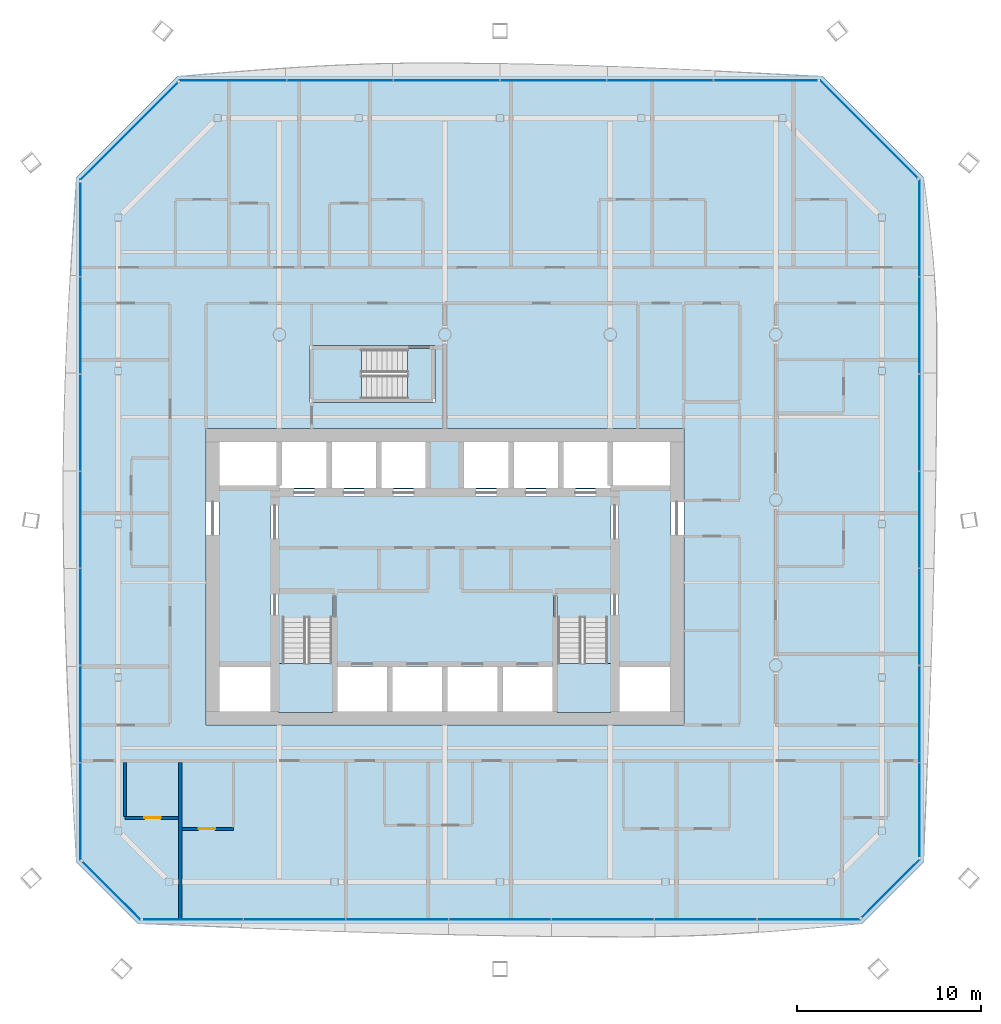
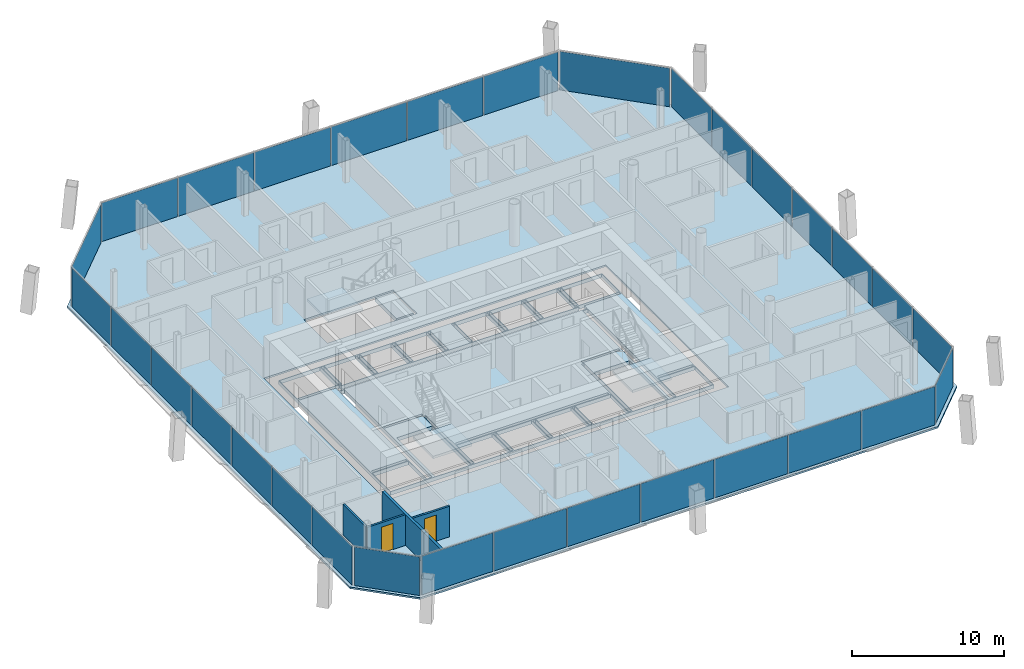
# One storey, part 11 of 21: 31 plates, 6 slabs, 4 walls, 2 doors, 2 openings, 11 elements without a shape of their own.
"""IFC4 building model written with IfcOpenShell, lengths in metres."""

from ifc_helpers import new_model, si_unit, direction, frame, frame_2d, origin, origin_2d, place, context, subcontext, project, spatial, polyline, rectangle, outline, extrude, material, layer, layer_set, type_object, element, fill, aggregate, save


model = new_model("IFC4")

# Units and contexts
model_context = context("Model", 3, precision=1e-05, world=origin(), true_north=direction((0.0, 1.0)))
body_context = subcontext(model_context, "Body", "Model", "MODEL_VIEW")
ifc_project = project(units=[si_unit("LENGTHUNIT", "METRE"), si_unit("AREAUNIT", "SQUARE_METRE"), si_unit("VOLUMEUNIT", "CUBIC_METRE"), si_unit("PLANEANGLEUNIT", "RADIAN"), si_unit("MASSUNIT", "GRAM", prefix="KILO")], contexts=[model_context])

# Site, building, storey
site_placement = place(None, origin())
site = spatial("IfcSite", under=ifc_project, at=site_placement, CompositionType="ELEMENT")
building_placement = place(site_placement, origin())
building = spatial("IfcBuilding", under=site, at=building_placement, Name="Tskaro Facet Tower", CompositionType="ELEMENT")
storey_placement = place(building_placement, frame((0.0, 0.0, 138.5)))
storey = spatial("IfcBuildingStorey", under=building, at=storey_placement, Name="L33", CompositionType="ELEMENT", Elevation=138.5)

# Slab
ifc_material_1 = material(Name="Concrete C30/37", Category="concrete")
ifc_layer_1 = layer(ifc_material_1, 0.139892578125, Name="Concrete C30/37")
ifc_layer_set_1 = layer_set([ifc_layer_1], Name="Concrete C30/37")
slab_type_1 = type_object("IfcSlabType", Name="Composite deck floor slab", PredefinedType="FLOOR", material=ifc_layer_set_1)
slab_1_placement = place(storey_placement, frame((0.0, 0.0, -0.139892578125)))
element("IfcSlab", 1, at=slab_1_placement, inside=storey, type_object=slab_type_1, Name="Floor slab FS3 L33", PredefinedType="FLOOR", context=body_context, shape_type="SweptSolid", body=[
    extrude(outline(polyline([(-16.677978515625, -23.070068359375), (22.677978515625, -23.070068359375), (26.070068359375, -19.677978515625), (26.070068359375, 17.52587890625), (20.52587890625, 23.070068359375), (-14.52587890625, 23.070068359375), (-20.070068359375, 17.52587890625), (-20.070068359375, -19.677978515625), (-16.677978515625, -23.070068359375)]), holes=[polyline([(-13.0, -12.25), (13.0, -12.25), (13.0, 3.89990234375), (-13.0, 3.89990234375), (-13.0, -12.25)]), polyline([(-7.35009765625, 5.300048828125), (-0.550048828125, 5.300048828125), (-0.550048828125, 8.39990234375), (-7.35009765625, 8.39990234375), (-7.35009765625, 5.300048828125)])]), origin(), (0.0, 0.0, 1.0), 0.139892578125),
])

# Curtain wall, plates
ifc_material_2 = material(Name="Bronze anodised aluminium 6063-T6", Category="aluminium")
curtain_wall_type = type_object("IfcCurtainWallType", Name="Bronze hotel curtain wall (FW2)", PredefinedType="NOTDEFINED", material=ifc_material_2)
curtain_wall_1_placement = place(storey_placement, origin())
curtain_wall_1 = element("IfcCurtainWall", 2, at=curtain_wall_1_placement, inside=storey, type_object=curtain_wall_type, Name="FW2 south facet L33", PredefinedType="NOTDEFINED")
ifc_material_3 = material(Name="Bronze solar control glass", Category="glass")
ifc_layer_2 = layer(ifc_material_3, 0.030029296875, Name="Bronze solar control glass")
ifc_layer_set_2 = layer_set([ifc_layer_2], Name="Bronze solar control glass")
plate_type = type_object("IfcPlateType", Name="FW2 bronze-tinted unit glazing 30", PredefinedType="CURTAIN_PANEL", material=ifc_layer_set_2)
plate_1_placement = place(storey_placement, frame((-13.7177734375, -22.820068359375, 0.0), z_axis=(0.0, 0.0, 1.0), x_axis=(1.0, 0.0, 0.0)))
plate_1 = element("IfcPlate", 3, at=plate_1_placement, type_object=plate_type, Name="FW2 south glazing 1.1", PredefinedType="CURTAIN_PANEL", context=body_context, shape_type="SweptSolid", body=[
    extrude(rectangle(XDim=5.41259765625, YDim=0.030029296875, at=origin_2d()), origin(), (0.0, 0.0, 1.0), 3.10009765625),
])
plate_2_placement = place(storey_placement, frame((-8.18505859375, -22.820068359375, 0.0), z_axis=(0.0, 0.0, 1.0), x_axis=(1.0, 0.0, 0.0)))
plate_2 = element("IfcPlate", 4, at=plate_2_placement, type_object=plate_type, Name="FW2 south glazing 2.1", PredefinedType="CURTAIN_PANEL", context=body_context, shape_type="SweptSolid", body=[
    extrude(rectangle(XDim=5.532470703125, YDim=0.030029296875, at=origin_2d()), origin(), (0.0, 0.0, 1.0), 3.10009765625),
])
plate_3_placement = place(storey_placement, frame((-2.592529296875, -22.820068359375, 0.0), z_axis=(0.0, 0.0, 1.0), x_axis=(1.0, 0.0, 0.0)))
plate_3 = element("IfcPlate", 5, at=plate_3_placement, type_object=plate_type, Name="FW2 south glazing 3.1", PredefinedType="CURTAIN_PANEL", context=body_context, shape_type="SweptSolid", body=[
    extrude(rectangle(XDim=5.532470703125, YDim=0.030029296875, at=origin_2d()), origin(), (0.0, 0.0, 1.0), 3.10009765625),
])
plate_4_placement = place(storey_placement, frame((3.0, -22.820068359375, 0.0), z_axis=(0.0, 0.0, 1.0), x_axis=(1.0, 0.0, 0.0)))
plate_4 = element("IfcPlate", 6, at=plate_4_placement, type_object=plate_type, Name="FW2 south glazing 4.1", PredefinedType="CURTAIN_PANEL", context=body_context, shape_type="SweptSolid", body=[
    extrude(rectangle(XDim=5.532470703125, YDim=0.030029296875, at=origin_2d()), origin(), (0.0, 0.0, 1.0), 3.10009765625),
])
plate_5_placement = place(storey_placement, frame((8.592529296875, -22.820068359375, 0.0), z_axis=(0.0, 0.0, 1.0), x_axis=(1.0, 0.0, 0.0)))
plate_5 = element("IfcPlate", 7, at=plate_5_placement, type_object=plate_type, Name="FW2 south glazing 5.1", PredefinedType="CURTAIN_PANEL", context=body_context, shape_type="SweptSolid", body=[
    extrude(rectangle(XDim=5.532470703125, YDim=0.030029296875, at=origin_2d()), origin(), (0.0, 0.0, 1.0), 3.10009765625),
])
plate_6_placement = place(storey_placement, frame((14.18505859375, -22.820068359375, 0.0), z_axis=(0.0, 0.0, 1.0), x_axis=(1.0, 0.0, 0.0)))
plate_6 = element("IfcPlate", 8, at=plate_6_placement, type_object=plate_type, Name="FW2 south glazing 6.1", PredefinedType="CURTAIN_PANEL", context=body_context, shape_type="SweptSolid", body=[
    extrude(rectangle(XDim=5.532470703125, YDim=0.030029296875, at=origin_2d()), origin(), (0.0, 0.0, 1.0), 3.10009765625),
])
plate_7_placement = place(storey_placement, frame((19.792724609375, -22.820068359375, 0.0), z_axis=(0.0, 0.0, 1.0), x_axis=(1.0, 0.0, 0.0)))
plate_7 = element("IfcPlate", 9, at=plate_7_placement, type_object=plate_type, Name="FW2 south glazing 7.1", PredefinedType="CURTAIN_PANEL", context=body_context, shape_type="SweptSolid", body=[
    extrude(rectangle(XDim=5.5625, YDim=0.030029296875, at=origin_2d()), origin(), (0.0, 0.0, 1.0), 3.10009765625),
])
aggregate(curtain_wall_1, [plate_1, plate_2, plate_3, plate_4, plate_5, plate_6, plate_7])

# Curtain wall, plate
curtain_wall_2_placement = place(storey_placement, origin())
curtain_wall_2 = element("IfcCurtainWall", 10, at=curtain_wall_2_placement, inside=storey, type_object=curtain_wall_type, Name="FW2 south-east facet L33", PredefinedType="NOTDEFINED")
plate_8_placement = place(storey_placement, frame((24.25, -21.14404296875, 0.0), z_axis=(0.0, 0.0, 1.0), x_axis=(0.707106781187, 0.707106781187, 0.0)))
plate_8 = element("IfcPlate", 11, at=plate_8_placement, type_object=plate_type, Name="FW2 south-east glazing 1.1", PredefinedType="CURTAIN_PANEL", context=body_context, shape_type="SweptSolid", body=[
    extrude(rectangle(XDim=4.4404296875, YDim=0.030029296875, at=origin_2d()), origin(), (0.0, 0.0, 1.0), 3.10009765625),
])
aggregate(curtain_wall_2, [plate_8])

# Curtain wall, plates
curtain_wall_3_placement = place(storey_placement, origin())
curtain_wall_3 = element("IfcCurtainWall", 12, at=curtain_wall_3_placement, inside=storey, type_object=curtain_wall_type, Name="FW2 east facet L33", PredefinedType="NOTDEFINED")
plate_9_placement = place(storey_placement, frame((25.820068359375, -16.871337890625, 0.0), z_axis=(0.0, 0.0, 1.0), x_axis=(0.0, 1.0, 0.0)))
plate_9 = element("IfcPlate", 13, at=plate_9_placement, type_object=plate_type, Name="FW2 east glazing 1.1", PredefinedType="CURTAIN_PANEL", context=body_context, shape_type="SweptSolid", body=[
    extrude(rectangle(XDim=5.105224609375, YDim=0.030029296875, at=origin_2d()), origin(), (0.0, 0.0, 1.0), 3.10009765625),
])
plate_10_placement = place(storey_placement, frame((25.820068359375, -11.646240234375, 0.0), z_axis=(0.0, 0.0, 1.0), x_axis=(0.0, 1.0, 0.0)))
plate_10 = element("IfcPlate", 14, at=plate_10_placement, type_object=plate_type, Name="FW2 east glazing 2.1", PredefinedType="CURTAIN_PANEL", context=body_context, shape_type="SweptSolid", body=[
    extrude(rectangle(XDim=5.22509765625, YDim=0.030029296875, at=origin_2d()), origin(), (0.0, 0.0, 1.0), 3.10009765625),
])
plate_11_placement = place(storey_placement, frame((25.820068359375, -6.361083984375, 0.0), z_axis=(0.0, 0.0, 1.0), x_axis=(0.0, 1.0, 0.0)))
plate_11 = element("IfcPlate", 15, at=plate_11_placement, type_object=plate_type, Name="FW2 east glazing 3.1", PredefinedType="CURTAIN_PANEL", context=body_context, shape_type="SweptSolid", body=[
    extrude(rectangle(XDim=5.22509765625, YDim=0.030029296875, at=origin_2d()), origin(), (0.0, 0.0, 1.0), 3.10009765625),
])
plate_12_placement = place(storey_placement, frame((25.820068359375, -1.075927734375, 0.0), z_axis=(0.0, 0.0, 1.0), x_axis=(0.0, 1.0, 0.0)))
plate_12 = element("IfcPlate", 16, at=plate_12_placement, type_object=plate_type, Name="FW2 east glazing 4.1", PredefinedType="CURTAIN_PANEL", context=body_context, shape_type="SweptSolid", body=[
    extrude(rectangle(XDim=5.22509765625, YDim=0.030029296875, at=origin_2d()), origin(), (0.0, 0.0, 1.0), 3.10009765625),
])
plate_13_placement = place(storey_placement, frame((25.820068359375, 4.209228515625, 0.0), z_axis=(0.0, 0.0, 1.0), x_axis=(0.0, 1.0, 0.0)))
plate_13 = element("IfcPlate", 17, at=plate_13_placement, type_object=plate_type, Name="FW2 east glazing 5.1", PredefinedType="CURTAIN_PANEL", context=body_context, shape_type="SweptSolid", body=[
    extrude(rectangle(XDim=5.22509765625, YDim=0.030029296875, at=origin_2d()), origin(), (0.0, 0.0, 1.0), 3.10009765625),
])
plate_14_placement = place(storey_placement, frame((25.820068359375, 9.494384765625, 0.0), z_axis=(0.0, 0.0, 1.0), x_axis=(0.0, 1.0, 0.0)))
plate_14 = element("IfcPlate", 18, at=plate_14_placement, type_object=plate_type, Name="FW2 east glazing 6.1", PredefinedType="CURTAIN_PANEL", context=body_context, shape_type="SweptSolid", body=[
    extrude(rectangle(XDim=5.22509765625, YDim=0.030029296875, at=origin_2d()), origin(), (0.0, 0.0, 1.0), 3.10009765625),
])
plate_15_placement = place(storey_placement, frame((25.820068359375, 14.79443359375, 0.0), z_axis=(0.0, 0.0, 1.0), x_axis=(0.0, 1.0, 0.0)))
plate_15 = element("IfcPlate", 19, at=plate_15_placement, type_object=plate_type, Name="FW2 east glazing 7.1", PredefinedType="CURTAIN_PANEL", context=body_context, shape_type="SweptSolid", body=[
    extrude(rectangle(XDim=5.255126953125, YDim=0.030029296875, at=origin_2d()), origin(), (0.0, 0.0, 1.0), 3.10009765625),
])
aggregate(curtain_wall_3, [plate_9, plate_10, plate_11, plate_12, plate_13, plate_14, plate_15])

# Curtain wall, plate
curtain_wall_4_placement = place(storey_placement, origin())
curtain_wall_4 = element("IfcCurtainWall", 20, at=curtain_wall_4_placement, inside=storey, type_object=curtain_wall_type, Name="FW2 north-east facet L33", PredefinedType="NOTDEFINED")
plate_16_placement = place(storey_placement, frame((23.06787109375, 20.174072265625, 0.0), z_axis=(0.0, 0.0, 1.0), x_axis=(-0.707106781187, 0.707106781187, 0.0)))
plate_16 = element("IfcPlate", 21, at=plate_16_placement, type_object=plate_type, Name="FW2 north-east glazing 1.1", PredefinedType="CURTAIN_PANEL", context=body_context, shape_type="SweptSolid", body=[
    extrude(rectangle(XDim=7.48388671875, YDim=0.030029296875, at=origin_2d()), origin(), (0.0, 0.0, 1.0), 3.10009765625),
])
aggregate(curtain_wall_4, [plate_16])

# Curtain wall, plates
curtain_wall_5_placement = place(storey_placement, origin())
curtain_wall_5 = element("IfcCurtainWall", 22, at=curtain_wall_5_placement, inside=storey, type_object=curtain_wall_type, Name="FW2 north facet L33", PredefinedType="NOTDEFINED")
plate_17_placement = place(storey_placement, frame((17.458251953125, 22.820068359375, 0.0), z_axis=(0.0, 0.0, 1.0), x_axis=(-1.0, 0.0, 0.0)))
plate_17 = element("IfcPlate", 23, at=plate_17_placement, type_object=plate_type, Name="FW2 north glazing 1.1", PredefinedType="CURTAIN_PANEL", context=body_context, shape_type="SweptSolid", body=[
    extrude(rectangle(XDim=5.62744140625, YDim=0.030029296875, at=origin_2d()), origin(), (0.0, 0.0, 1.0), 3.10009765625),
])
plate_18_placement = place(storey_placement, frame((11.7109375, 22.820068359375, 0.0), z_axis=(0.0, 0.0, 1.0), x_axis=(-1.0, 0.0, 0.0)))
plate_18 = element("IfcPlate", 24, at=plate_18_placement, type_object=plate_type, Name="FW2 north glazing 2.1", PredefinedType="CURTAIN_PANEL", context=body_context, shape_type="SweptSolid", body=[
    extrude(rectangle(XDim=5.747314453125, YDim=0.030029296875, at=origin_2d()), origin(), (0.0, 0.0, 1.0), 3.10009765625),
])
plate_19_placement = place(storey_placement, frame((5.903564453125, 22.820068359375, 0.0), z_axis=(0.0, 0.0, 1.0), x_axis=(-1.0, 0.0, 0.0)))
plate_19 = element("IfcPlate", 25, at=plate_19_placement, type_object=plate_type, Name="FW2 north glazing 3.1", PredefinedType="CURTAIN_PANEL", context=body_context, shape_type="SweptSolid", body=[
    extrude(rectangle(XDim=5.747314453125, YDim=0.030029296875, at=origin_2d()), origin(), (0.0, 0.0, 1.0), 3.10009765625),
])
plate_20_placement = place(storey_placement, frame((0.096435546875, 22.820068359375, 0.0), z_axis=(0.0, 0.0, 1.0), x_axis=(-1.0, 0.0, 0.0)))
plate_20 = element("IfcPlate", 26, at=plate_20_placement, type_object=plate_type, Name="FW2 north glazing 4.1", PredefinedType="CURTAIN_PANEL", context=body_context, shape_type="SweptSolid", body=[
    extrude(rectangle(XDim=5.747314453125, YDim=0.030029296875, at=origin_2d()), origin(), (0.0, 0.0, 1.0), 3.10009765625),
])
plate_21_placement = place(storey_placement, frame((-5.7109375, 22.820068359375, 0.0), z_axis=(0.0, 0.0, 1.0), x_axis=(-1.0, 0.0, 0.0)))
plate_21 = element("IfcPlate", 27, at=plate_21_placement, type_object=plate_type, Name="FW2 north glazing 5.1", PredefinedType="CURTAIN_PANEL", context=body_context, shape_type="SweptSolid", body=[
    extrude(rectangle(XDim=5.747314453125, YDim=0.030029296875, at=origin_2d()), origin(), (0.0, 0.0, 1.0), 3.10009765625),
])
plate_22_placement = place(storey_placement, frame((-11.533447265625, 22.820068359375, 0.0), z_axis=(0.0, 0.0, 1.0), x_axis=(-1.0, 0.0, 0.0)))
plate_22 = element("IfcPlate", 28, at=plate_22_placement, type_object=plate_type, Name="FW2 north glazing 6.1", PredefinedType="CURTAIN_PANEL", context=body_context, shape_type="SweptSolid", body=[
    extrude(rectangle(XDim=5.77734375, YDim=0.030029296875, at=origin_2d()), origin(), (0.0, 0.0, 1.0), 3.10009765625),
])
aggregate(curtain_wall_5, [plate_17, plate_18, plate_19, plate_20, plate_21, plate_22])

# Curtain wall, plate
curtain_wall_6_placement = place(storey_placement, origin())
curtain_wall_6 = element("IfcCurtainWall", 29, at=curtain_wall_6_placement, inside=storey, type_object=curtain_wall_type, Name="FW2 north-west facet L33", PredefinedType="NOTDEFINED")
plate_23_placement = place(storey_placement, frame((-17.174072265625, 20.06787109375, 0.0), z_axis=(0.0, 0.0, 1.0), x_axis=(-0.707106781187, -0.707106781187, 0.0)))
plate_23 = element("IfcPlate", 30, at=plate_23_placement, type_object=plate_type, Name="FW2 north-west glazing 1.1", PredefinedType="CURTAIN_PANEL", context=body_context, shape_type="SweptSolid", body=[
    extrude(rectangle(XDim=7.48388671875, YDim=0.030029296875, at=origin_2d()), origin(), (0.0, 0.0, 1.0), 3.10009765625),
])
aggregate(curtain_wall_6, [plate_23])

# Curtain wall, plates
curtain_wall_7_placement = place(storey_placement, origin())
curtain_wall_7 = element("IfcCurtainWall", 31, at=curtain_wall_7_placement, inside=storey, type_object=curtain_wall_type, Name="FW2 west facet L33", PredefinedType="NOTDEFINED")
plate_24_placement = place(storey_placement, frame((-19.820068359375, 14.719482421875, 0.0), z_axis=(0.0, 0.0, 1.0), x_axis=(0.0, -1.0, 0.0)))
plate_24 = element("IfcPlate", 32, at=plate_24_placement, type_object=plate_type, Name="FW2 west glazing 1.1", PredefinedType="CURTAIN_PANEL", context=body_context, shape_type="SweptSolid", body=[
    extrude(rectangle(XDim=5.105224609375, YDim=0.030029296875, at=origin_2d()), origin(), (0.0, 0.0, 1.0), 3.10009765625),
])
plate_25_placement = place(storey_placement, frame((-19.820068359375, 9.494384765625, 0.0), z_axis=(0.0, 0.0, 1.0), x_axis=(0.0, -1.0, 0.0)))
plate_25 = element("IfcPlate", 33, at=plate_25_placement, type_object=plate_type, Name="FW2 west glazing 2.1", PredefinedType="CURTAIN_PANEL", context=body_context, shape_type="SweptSolid", body=[
    extrude(rectangle(XDim=5.22509765625, YDim=0.030029296875, at=origin_2d()), origin(), (0.0, 0.0, 1.0), 3.10009765625),
])
plate_26_placement = place(storey_placement, frame((-19.820068359375, 4.209228515625, 0.0), z_axis=(0.0, 0.0, 1.0), x_axis=(0.0, -1.0, 0.0)))
plate_26 = element("IfcPlate", 34, at=plate_26_placement, type_object=plate_type, Name="FW2 west glazing 3.1", PredefinedType="CURTAIN_PANEL", context=body_context, shape_type="SweptSolid", body=[
    extrude(rectangle(XDim=5.22509765625, YDim=0.030029296875, at=origin_2d()), origin(), (0.0, 0.0, 1.0), 3.10009765625),
])
plate_27_placement = place(storey_placement, frame((-19.820068359375, -1.075927734375, 0.0), z_axis=(0.0, 0.0, 1.0), x_axis=(0.0, -1.0, 0.0)))
plate_27 = element("IfcPlate", 35, at=plate_27_placement, type_object=plate_type, Name="FW2 west glazing 4.1", PredefinedType="CURTAIN_PANEL", context=body_context, shape_type="SweptSolid", body=[
    extrude(rectangle(XDim=5.22509765625, YDim=0.030029296875, at=origin_2d()), origin(), (0.0, 0.0, 1.0), 3.10009765625),
])
plate_28_placement = place(storey_placement, frame((-19.820068359375, -6.361083984375, 0.0), z_axis=(0.0, 0.0, 1.0), x_axis=(0.0, -1.0, 0.0)))
plate_28 = element("IfcPlate", 36, at=plate_28_placement, type_object=plate_type, Name="FW2 west glazing 5.1", PredefinedType="CURTAIN_PANEL", context=body_context, shape_type="SweptSolid", body=[
    extrude(rectangle(XDim=5.22509765625, YDim=0.030029296875, at=origin_2d()), origin(), (0.0, 0.0, 1.0), 3.10009765625),
])
plate_29_placement = place(storey_placement, frame((-19.820068359375, -11.646240234375, 0.0), z_axis=(0.0, 0.0, 1.0), x_axis=(0.0, -1.0, 0.0)))
plate_29 = element("IfcPlate", 37, at=plate_29_placement, type_object=plate_type, Name="FW2 west glazing 6.1", PredefinedType="CURTAIN_PANEL", context=body_context, shape_type="SweptSolid", body=[
    extrude(rectangle(XDim=5.22509765625, YDim=0.030029296875, at=origin_2d()), origin(), (0.0, 0.0, 1.0), 3.10009765625),
])
plate_30_placement = place(storey_placement, frame((-19.820068359375, -16.946533203125, 0.0), z_axis=(0.0, 0.0, 1.0), x_axis=(0.0, -1.0, 0.0)))
plate_30 = element("IfcPlate", 38, at=plate_30_placement, type_object=plate_type, Name="FW2 west glazing 7.1", PredefinedType="CURTAIN_PANEL", context=body_context, shape_type="SweptSolid", body=[
    extrude(rectangle(XDim=5.255126953125, YDim=0.030029296875, at=origin_2d()), origin(), (0.0, 0.0, 1.0), 3.10009765625),
])
aggregate(curtain_wall_7, [plate_24, plate_25, plate_26, plate_27, plate_28, plate_29, plate_30])

# Curtain wall, plate
curtain_wall_8_placement = place(storey_placement, origin())
curtain_wall_8 = element("IfcCurtainWall", 39, at=curtain_wall_8_placement, inside=storey, type_object=curtain_wall_type, Name="FW2 south-west facet L33", PredefinedType="NOTDEFINED")
plate_31_placement = place(storey_placement, frame((-18.14404296875, -21.25, 0.0), z_axis=(0.0, 0.0, 1.0), x_axis=(0.707106781187, -0.707106781187, 0.0)))
plate_31 = element("IfcPlate", 40, at=plate_31_placement, type_object=plate_type, Name="FW2 south-west glazing 1.1", PredefinedType="CURTAIN_PANEL", context=body_context, shape_type="SweptSolid", body=[
    extrude(rectangle(XDim=4.4404296875, YDim=0.030029296875, at=origin_2d()), origin(), (0.0, 0.0, 1.0), 3.10009765625),
])
aggregate(curtain_wall_8, [plate_31])

# Stair, slab
ifc_material_4 = material(Name="Concrete C40/50", Category="concrete")
stair_type = type_object("IfcStairType", Name="ST-TWR", PredefinedType="HALF_TURN_STAIR", material=ifc_material_4)
stair_1_placement = place(storey_placement, origin())
stair_1 = element("IfcStair", 41, at=stair_1_placement, inside=storey, type_object=stair_type, Name="L33 Exit stair 1", PredefinedType="HALF_TURN_STAIR")
ifc_layer_3 = layer(ifc_material_4, 0.199951171875, Name="Concrete C40/50")
ifc_layer_set_3 = layer_set([ifc_layer_3], Name="Concrete C40/50")
slab_type_2 = type_object("IfcSlabType", Name="SL-LANDING", PredefinedType="LANDING", material=ifc_layer_set_3)
slab_2_placement = place(storey_placement, frame((0.0, 0.0, 1.5)))
slab_2 = element("IfcSlab", 42, at=slab_2_placement, type_object=slab_type_2, Name="ST-1 landing 1", PredefinedType="LANDING", context=body_context, shape_type="SweptSolid", body=[
    extrude(outline(polyline([(-9.050048828125, -11.550048828125), (-6.10009765625, -11.550048828125), (-6.10009765625, -8.89501953125), (-9.050048828125, -8.89501953125), (-9.050048828125, -11.550048828125)])), origin(), (0.0, 0.0, 1.0), 0.199951171875),
])
aggregate(stair_1, [slab_2])

stair_2_placement = place(storey_placement, origin())
stair_2 = element("IfcStair", 43, at=stair_2_placement, inside=storey, type_object=stair_type, Name="L33 Exit stair 2", PredefinedType="HALF_TURN_STAIR")
slab_3_placement = place(storey_placement, frame((0.0, 0.0, 1.5)))
slab_3 = element("IfcSlab", 44, at=slab_3_placement, type_object=slab_type_2, Name="ST-2 landing 1", PredefinedType="LANDING", context=body_context, shape_type="SweptSolid", body=[
    extrude(outline(polyline([(6.10009765625, -11.550048828125), (9.050048828125, -11.550048828125), (9.050048828125, -8.89501953125), (6.10009765625, -8.89501953125), (6.10009765625, -11.550048828125)])), origin(), (0.0, 0.0, 1.0), 0.199951171875),
])
aggregate(stair_2, [slab_3])

stair_3_placement = place(storey_placement, origin())
stair_3 = element("IfcStair", 45, at=stair_3_placement, inside=storey, type_object=stair_type, Name="L33 Exit stair 3", PredefinedType="HALF_TURN_STAIR")
slab_4_placement = place(storey_placement, frame((0.0, 0.0, 1.5)))
slab_4 = element("IfcSlab", 46, at=slab_4_placement, type_object=slab_type_2, Name="ST-3 landing 1", PredefinedType="LANDING", context=body_context, shape_type="SweptSolid", body=[
    extrude(outline(polyline([(-7.199951171875, 5.449951171875), (-4.544921875, 5.449951171875), (-4.544921875, 8.25), (-7.199951171875, 8.25), (-7.199951171875, 5.449951171875)])), origin(), (0.0, 0.0, 1.0), 0.199951171875),
])
aggregate(stair_3, [slab_4])

# Slabs
ifc_material_5 = material(Name="Concrete C60/75", Category="concrete")
ifc_layer_4 = layer(ifc_material_5, 0.300048828125, Name="Concrete C60/75")
ifc_layer_set_4 = layer_set([ifc_layer_4], Name="Concrete C60/75")
slab_type_3 = type_object("IfcSlabType", Name="SLAB-CORE", PredefinedType="FLOOR", material=ifc_layer_set_4)
slab_5_placement = place(storey_placement, frame((0.0, 0.0, -0.300048828125)))
element("IfcSlab", 47, at=slab_5_placement, inside=storey, type_object=slab_type_3, Name="Core floor slab 1", PredefinedType="FLOOR", context=body_context, shape_type="SweptSolid", body=[
    extrude(outline(polyline([(-12.300048828125, 3.199951171875), (12.300048828125, 3.199951171875), (12.300048828125, 3.10009765625), (12.300048828125, -11.449951171875), (12.300048828125, -11.550048828125), (-12.300048828125, -11.550048828125), (-12.300048828125, -11.449951171875), (-12.300048828125, 3.10009765625), (-12.300048828125, 3.199951171875)]), holes=[polyline([(-9.5, -9.10009765625), (-12.25, -9.10009765625), (-12.25, -11.5), (-9.5, -11.5), (-9.5, -9.10009765625)]), polyline([(-5.85009765625, -9.10009765625), (-5.85009765625, -11.5), (-3.14990234375, -11.5), (-3.14990234375, -9.10009765625), (-5.85009765625, -9.10009765625)]), polyline([(-12.199951171875, -9.050048828125), (-9.550048828125, -9.050048828125), (-9.550048828125, -8.85009765625), (-12.199951171875, -8.85009765625), (-12.199951171875, -9.050048828125)]), polyline([(-6.10009765625, -5.14990234375), (-6.10009765625, -11.449951171875), (-5.89990234375, -11.449951171875), (-5.89990234375, -5.14990234375), (-6.10009765625, -5.14990234375)]), polyline([(-9.449951171875, 0.10009765625), (-9.449951171875, -11.449951171875), (-9.050048828125, -11.449951171875), (-9.050048828125, 0.10009765625), (-9.449951171875, 0.10009765625)]), polyline([(-8.949951171875, -5.050048828125), (-6.050048828125, -5.050048828125), (-6.050048828125, -4.85009765625), (-8.949951171875, -4.85009765625), (-8.949951171875, -5.050048828125)]), polyline([(9.449951171875, 0.199951171875), (9.449951171875, 0.550048828125), (12.199951171875, 0.550048828125), (12.199951171875, 0.75), (9.050048828125, 0.75), (9.050048828125, 0.60009765625), (-9.050048828125, 0.60009765625), (-9.050048828125, 0.75), (-12.199951171875, 0.75), (-12.199951171875, 0.550048828125), (-9.449951171875, 0.550048828125), (-9.449951171875, 0.199951171875), (9.449951171875, 0.199951171875)]), polyline([(-8.85009765625, 0.800048828125), (-9.0, 0.800048828125), (-9.0, 0.64990234375), (-6.449951171875, 0.64990234375), (-6.449951171875, 3.14990234375), (-8.85009765625, 3.14990234375), (-8.85009765625, 0.800048828125)]), polyline([(-6.14990234375, 0.64990234375), (-3.75, 0.64990234375), (-3.75, 3.14990234375), (-6.14990234375, 3.14990234375), (-6.14990234375, 0.64990234375)]), polyline([(-6.39990234375, 3.10009765625), (-6.39990234375, 0.699951171875), (-6.199951171875, 0.699951171875), (-6.199951171875, 3.10009765625), (-6.39990234375, 3.10009765625)]), polyline([(-9.14990234375, 3.14990234375), (-12.25, 3.14990234375), (-12.25, 0.800048828125), (-9.14990234375, 0.800048828125), (-9.14990234375, 3.14990234375)]), polyline([(-9.10009765625, 0.85009765625), (-8.89990234375, 0.85009765625), (-8.89990234375, 3.10009765625), (-9.10009765625, 3.10009765625), (-9.10009765625, 0.85009765625)]), polyline([(-3.10009765625, -11.449951171875), (-2.89990234375, -11.449951171875), (-2.89990234375, -9.14990234375), (-3.10009765625, -9.14990234375), (-3.10009765625, -11.449951171875)]), polyline([(-0.14990234375, -9.10009765625), (-2.85009765625, -9.10009765625), (-2.85009765625, -11.5), (-0.14990234375, -11.5), (-0.14990234375, -9.10009765625)]), polyline([(-0.10009765625, -9.14990234375), (-0.10009765625, -11.449951171875), (0.10009765625, -11.449951171875), (0.10009765625, -9.14990234375), (-0.10009765625, -9.14990234375)]), polyline([(0.14990234375, -9.10009765625), (0.14990234375, -11.5), (2.85009765625, -11.5), (2.85009765625, -9.10009765625), (0.14990234375, -9.10009765625)]), polyline([(-5.800048828125, -8.85009765625), (-5.800048828125, -9.050048828125), (5.800048828125, -9.050048828125), (5.800048828125, -8.85009765625), (-5.800048828125, -8.85009765625)]), polyline([(-1.050048828125, 0.64990234375), (-1.050048828125, 3.14990234375), (-3.449951171875, 3.14990234375), (-3.449951171875, 0.64990234375), (-1.050048828125, 0.64990234375)]), polyline([(3.449951171875, 0.64990234375), (3.449951171875, 3.14990234375), (1.050048828125, 3.14990234375), (1.050048828125, 0.64990234375), (3.449951171875, 0.64990234375)]), polyline([(-3.699951171875, 0.699951171875), (-3.5, 0.699951171875), (-3.5, 3.10009765625), (-3.699951171875, 3.10009765625), (-3.699951171875, 0.699951171875)]), polyline([(-1.0, 3.10009765625), (-1.0, 0.699951171875), (-0.800048828125, 0.699951171875), (-0.800048828125, 3.10009765625), (-1.0, 3.10009765625)]), polyline([(0.800048828125, 3.10009765625), (0.800048828125, 0.699951171875), (1.0, 0.699951171875), (1.0, 3.10009765625), (0.800048828125, 3.10009765625)]), polyline([(2.89990234375, -11.449951171875), (3.10009765625, -11.449951171875), (3.10009765625, -9.14990234375), (2.89990234375, -9.14990234375), (2.89990234375, -11.449951171875)]), polyline([(5.85009765625, -9.10009765625), (3.14990234375, -9.10009765625), (3.14990234375, -11.5), (5.85009765625, -11.5), (5.85009765625, -9.10009765625)]), polyline([(12.25, -11.5), (12.25, -9.10009765625), (9.5, -9.10009765625), (9.5, -11.5), (12.25, -11.5)]), polyline([(9.550048828125, -9.050048828125), (12.199951171875, -9.050048828125), (12.199951171875, -8.85009765625), (9.550048828125, -8.85009765625), (9.550048828125, -9.050048828125)]), polyline([(5.89990234375, -5.14990234375), (5.89990234375, -11.449951171875), (6.10009765625, -11.449951171875), (6.10009765625, -5.14990234375), (5.89990234375, -5.14990234375)]), polyline([(9.050048828125, 0.10009765625), (9.050048828125, -11.449951171875), (9.449951171875, -11.449951171875), (9.449951171875, 0.10009765625), (9.050048828125, 0.10009765625)]), polyline([(6.050048828125, -5.050048828125), (8.949951171875, -5.050048828125), (8.949951171875, -4.85009765625), (6.050048828125, -4.85009765625), (6.050048828125, -5.050048828125)]), polyline([(6.14990234375, 0.64990234375), (6.14990234375, 3.14990234375), (3.75, 3.14990234375), (3.75, 0.64990234375), (6.14990234375, 0.64990234375)]), polyline([(9.0, 0.800048828125), (8.85009765625, 0.800048828125), (8.85009765625, 3.14990234375), (6.449951171875, 3.14990234375), (6.449951171875, 0.64990234375), (9.0, 0.64990234375), (9.0, 0.800048828125)]), polyline([(3.5, 3.10009765625), (3.5, 0.699951171875), (3.699951171875, 0.699951171875), (3.699951171875, 3.10009765625), (3.5, 3.10009765625)]), polyline([(6.199951171875, 0.699951171875), (6.39990234375, 0.699951171875), (6.39990234375, 3.10009765625), (6.199951171875, 3.10009765625), (6.199951171875, 0.699951171875)]), polyline([(8.89990234375, 3.10009765625), (8.89990234375, 0.85009765625), (9.10009765625, 0.85009765625), (9.10009765625, 3.10009765625), (8.89990234375, 3.10009765625)]), polyline([(9.14990234375, 0.800048828125), (12.25, 0.800048828125), (12.25, 3.14990234375), (9.14990234375, 3.14990234375), (9.14990234375, 0.800048828125)]), polyline([(-8.85009765625, -11.5), (-6.14990234375, -11.5), (-6.14990234375, -6.39501953125), (-8.85009765625, -6.39501953125), (-8.85009765625, -11.5)]), polyline([(6.14990234375, -6.39501953125), (6.14990234375, -11.5), (8.85009765625, -11.5), (8.85009765625, -6.39501953125), (6.14990234375, -6.39501953125)])]), origin(), (0.0, 0.0, 1.0), 0.300048828125),
])
slab_6_placement = place(storey_placement, frame((0.0, 0.0, -0.300048828125)))
element("IfcSlab", 48, at=slab_6_placement, inside=storey, type_object=slab_type_3, Name="Stair 3 floor landing 1", PredefinedType="FLOOR", context=body_context, shape_type="SweptSolid", body=[
    extrude(outline(polyline([(-2.02490234375, 5.449951171875), (-0.699951171875, 5.449951171875), (-0.699951171875, 8.25), (-2.02490234375, 8.25), (-2.02490234375, 5.449951171875)])), origin(), (0.0, 0.0, 1.0), 0.300048828125),
])

# Wall, opening, door
ifc_material_6 = material(Name="Gypsum board on steel studs", Category="steel")
ifc_layer_5 = layer(ifc_material_6, 0.14990234375, Name="Gypsum board on steel studs")
ifc_layer_set_5 = layer_set([ifc_layer_5], Name="Gypsum board on steel studs")
wall_type_1 = type_object("IfcWallType", Name="PART-CORR", PredefinedType="PARTITIONING", material=ifc_layer_set_5)
wall_1_placement = place(storey_placement, frame((-14.299072265625, -17.89990234375, 0.0), z_axis=(0.0, 0.0, 1.0), x_axis=(1.0, 0.0, 0.0)))
wall_1 = element("IfcWall", 49, at=wall_1_placement, inside=storey, type_object=wall_type_1, Name="Corridor wall W001", PredefinedType="PARTITIONING", context=body_context, shape_type="SweptSolid", body=[
    extrude(rectangle(XDim=2.800048828125, YDim=0.14990234375, at=frame_2d((1.39990234375, 0.0))), origin(), (0.0, 0.0, 1.0), 2.4599609375),
])
opening_1_placement = place(wall_1_placement, frame((0.89990234375, 0.0, 0.0)))
opening_1 = element("IfcOpeningElement", 50, at=opening_1_placement, cuts=wall_1, Name="Opening T9-D01", PredefinedType="OPENING", context=body_context, shape_type="SweptSolid", body=[
    extrude(rectangle(XDim=0.89990234375, YDim=2.10009765625, at=frame_2d((0.449951171875, 1.050048828125))), frame((0.0, 0.0849609375, 0.0), z_axis=(0.0, -1.0, 0.0), x_axis=(1.0, 0.0, 0.0)), (0.0, 0.0, 1.0), 0.169921875),
])
ifc_material_7 = material(Name="Timber", Category="wood")
door_type = type_object("IfcDoorType", Name="D-ROOM", OperationType="NOTDEFINED", PredefinedType="DOOR", material=ifc_material_7)
door_1_placement = place(opening_1_placement, origin())
door_1 = element("IfcDoor", 51, at=door_1_placement, inside=storey, type_object=door_type, Name="Door T9-D01", OperationType="SINGLE_SWING_LEFT", OverallHeight=2.10009765625, OverallWidth=0.89990234375, PredefinedType="DOOR", context=body_context, shape_type="SweptSolid", body=[
    extrude(rectangle(XDim=0.89990234375, YDim=2.10009765625, at=frame_2d((0.449951171875, 1.050048828125))), frame((0.0, 0.02490234375, 0.0), z_axis=(0.0, -1.0, 0.0), x_axis=(1.0, 0.0, 0.0)), (0.0, 0.0, 1.0), 0.050048828125),
])
fill(opening_1, door_1)

wall_2_placement = place(storey_placement, frame((-17.39892578125, -17.300048828125, 0.0), z_axis=(0.0, 0.0, 1.0), x_axis=(1.0, 0.0, 0.0)))
wall_2 = element("IfcWall", 52, at=wall_2_placement, inside=storey, type_object=wall_type_1, Name="Corridor wall W004", PredefinedType="PARTITIONING", context=body_context, shape_type="SweptSolid", body=[
    extrude(rectangle(XDim=2.89990234375, YDim=0.14990234375, at=frame_2d((1.449951171875, 0.0))), origin(), (0.0, 0.0, 1.0), 2.4599609375),
])
opening_2_placement = place(wall_2_placement, frame((1.050048828125, 0.0, 0.0)))
opening_2 = element("IfcOpeningElement", 53, at=opening_2_placement, cuts=wall_2, Name="Opening T9-D06", PredefinedType="OPENING", context=body_context, shape_type="SweptSolid", body=[
    extrude(rectangle(XDim=0.89990234375, YDim=2.10009765625, at=frame_2d((0.449951171875, 1.050048828125))), frame((0.0, 0.0849609375, 0.0), z_axis=(0.0, -1.0, 0.0), x_axis=(1.0, 0.0, 0.0)), (0.0, 0.0, 1.0), 0.169921875),
])
door_2_placement = place(opening_2_placement, origin())
door_2 = element("IfcDoor", 54, at=door_2_placement, inside=storey, type_object=door_type, Name="Door T9-D06", OperationType="SINGLE_SWING_LEFT", OverallHeight=2.10009765625, OverallWidth=0.89990234375, PredefinedType="DOOR", context=body_context, shape_type="SweptSolid", body=[
    extrude(rectangle(XDim=0.89990234375, YDim=2.10009765625, at=frame_2d((0.449951171875, 1.050048828125))), frame((0.0, 0.02490234375, 0.0), z_axis=(0.0, -1.0, 0.0), x_axis=(1.0, 0.0, 0.0)), (0.0, 0.0, 1.0), 0.050048828125),
])
fill(opening_2, door_2)

# Walls
wall_3_placement = place(storey_placement, frame((-17.39892578125, -17.22509765625, 0.0), z_axis=(0.0, 0.0, 1.0), x_axis=(0.0, 1.0, 0.0)))
element("IfcWall", 55, at=wall_3_placement, inside=storey, type_object=wall_type_1, Name="Corridor wall W051", PredefinedType="PARTITIONING", context=body_context, shape_type="SweptSolid", body=[
    extrude(rectangle(XDim=2.9501953125, YDim=0.14990234375, at=frame_2d((1.47509765625, 0.0))), origin(), (0.0, 0.0, 1.0), 2.4599609375),
])
ifc_layer_6 = layer(ifc_material_6, 0.199951171875, Name="Gypsum board on steel studs")
ifc_layer_set_6 = layer_set([ifc_layer_6], Name="Gypsum board on steel studs")
wall_type_2 = type_object("IfcWallType", Name="PART-DEMISING", PredefinedType="PARTITIONING", material=ifc_layer_set_6)
wall_4_placement = place(storey_placement, frame((-14.39892578125, -22.77001953125, 0.0), z_axis=(0.0, 0.0, 1.0), x_axis=(0.0, 1.0, 0.0)))
element("IfcWall", 56, at=wall_4_placement, inside=storey, type_object=wall_type_2, Name="Guest room wall W055", PredefinedType="PARTITIONING", context=body_context, shape_type="SweptSolid", body=[
    extrude(rectangle(XDim=8.4951171875, YDim=0.199951171875, at=frame_2d((4.24755859375, 0.0))), origin(), (0.0, 0.0, 1.0), 2.4599609375),
])

save(model, "model.ifc")
